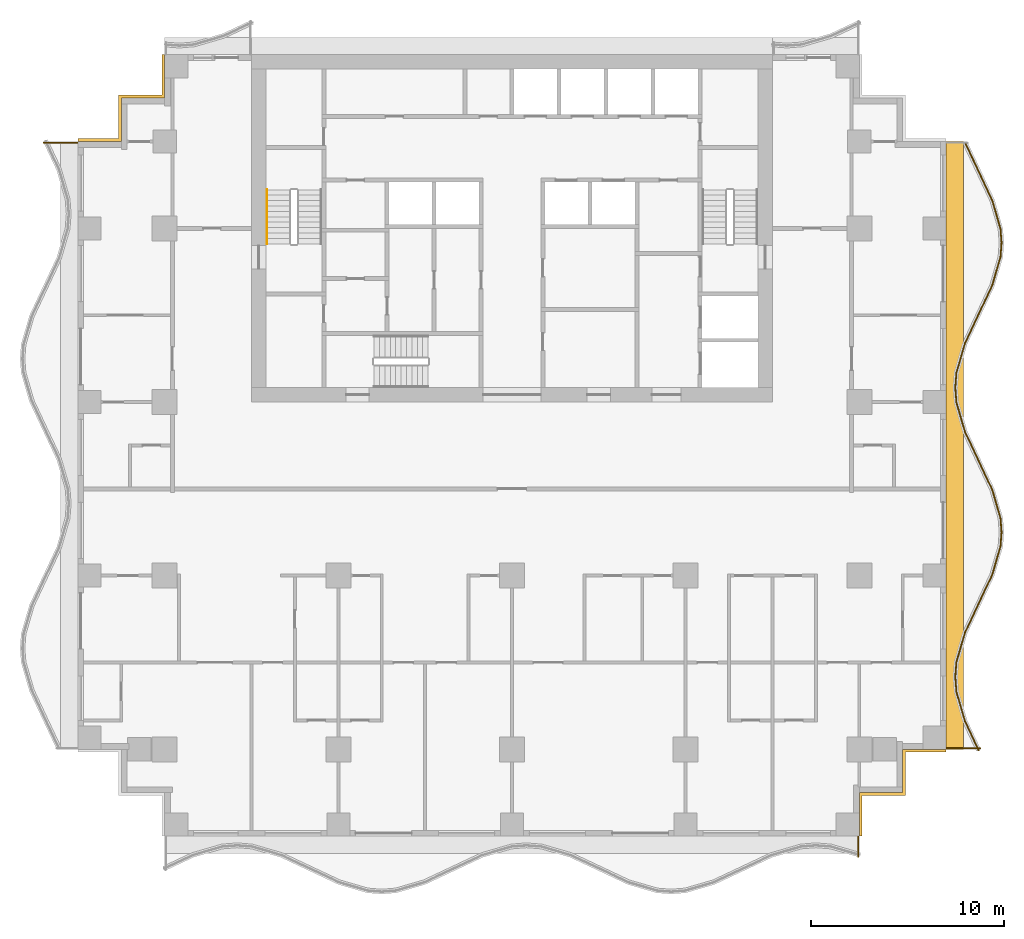
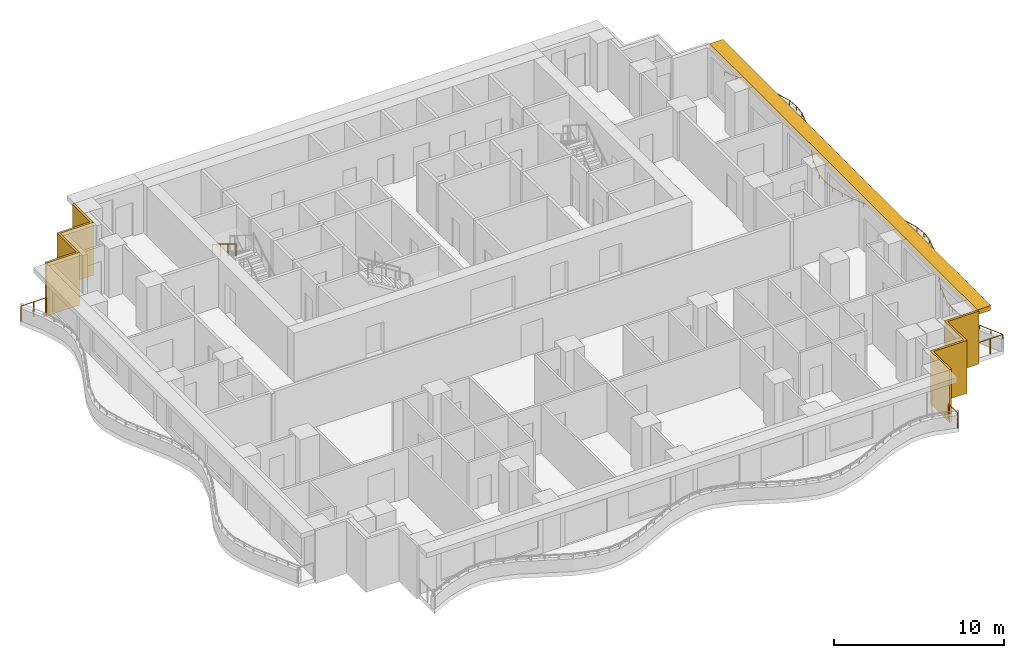
# One storey, part 9 of 10: 5 railings, 3 shading devices.
"""IFC4 building model written with IfcOpenShell, lengths in metres."""

from ifc_helpers import new_model, si_unit, direction, frame, origin, origin_2d, place, context, subcontext, project, spatial, polyline, rectangle, circle, outline, extrude, material, layer, layer_set, type_object, element, save


model = new_model("IFC4")

# Units and contexts
model_context = context("Model", 3, precision=1e-05, world=origin(), true_north=direction((0.0, 1.0)))
body_context = subcontext(model_context, "Body", "Model", "MODEL_VIEW")
ifc_project = project(units=[si_unit("LENGTHUNIT", "METRE"), si_unit("AREAUNIT", "SQUARE_METRE"), si_unit("VOLUMEUNIT", "CUBIC_METRE"), si_unit("PLANEANGLEUNIT", "RADIAN"), si_unit("MASSUNIT", "GRAM", prefix="KILO")], contexts=[model_context])

# Site, building, storey
site_placement = place(None, origin())
site = spatial("IfcSite", under=ifc_project, at=site_placement, CompositionType="ELEMENT")
building_placement = place(site_placement, origin())
building = spatial("IfcBuilding", under=site, at=building_placement, Name="Orbiselva Terraces", CompositionType="ELEMENT")
storey_placement = place(building_placement, frame((0.0, 0.0, 128.8)))
storey = spatial("IfcBuildingStorey", under=building, at=storey_placement, Name="L32", CompositionType="ELEMENT", Elevation=128.8)

# Railings
ifc_material_1 = material(Name="Stainless steel", Category="steel")
railing_type_1 = type_object("IfcRailingType", Name="CORE-HANDRAIL-900", PredefinedType="HANDRAIL", material=ifc_material_1)
railing_1_placement = place(storey_placement, frame((-12.7, 15.5, 2.072727)))
element("IfcRailing", 1, at=railing_1_placement, inside=storey, type_object=railing_type_1, Name="L32 S1 stair handrail 2", PredefinedType="HANDRAIL", context=body_context, shape_type="SweptSolid", body=[
    extrude(circle(Radius=0.024, at=origin_2d()), frame((0.0, 0.0, 0.876), z_axis=(0.0, -0.851088519012, 0.52502222125), x_axis=(1.0, 0.0, 0.0)), (0.0, 0.0, 1.0), 3.289905),
    extrude(circle(Radius=0.021, at=origin_2d()), origin(), (0.0, 0.0, 1.0), 0.852),
    extrude(circle(Radius=0.021, at=origin_2d()), frame((0.0, -0.933333, 0.575758)), (0.0, 0.0, 1.0), 0.852),
    extrude(circle(Radius=0.021, at=origin_2d()), frame((0.0, -1.866667, 1.151515)), (0.0, 0.0, 1.0), 0.852),
    extrude(circle(Radius=0.021, at=origin_2d()), frame((0.0, -2.8, 1.727273)), (0.0, 0.0, 1.0), 0.852),
])
ifc_material_2 = material(Name="Bonded two-ply safety glass balustrade, stainless steel posts", Category="steel")
railing_type_2 = type_object("IfcRailingType", Name="ENV-BALUSTRADE-1200", PredefinedType="BALUSTRADE", material=ifc_material_2)
railing_2_placement = place(storey_placement, frame((24.186882, -13.553191, 0.9)))
element("IfcRailing", 2, at=railing_2_placement, inside=storey, type_object=railing_type_2, Name="Balcony balustrade L32 E", PredefinedType="BALUSTRADE", context=body_context, shape_type="SweptSolid", body=[
    extrude(outline(polyline([(0.028868, 0.0), (0.014434, 0.025), (-0.014434, 0.025), (-0.028868, 0.0), (-0.014434, -0.025), (0.014434, -0.025), (0.028868, 0.0)])), frame((0.0, 0.0, 0.275), z_axis=(-0.425530342069, 0.904944157382, 0.0), x_axis=(-0.904944157382, -0.425530342069, 0.0)), (0.0, 0.0, 1.0), 1.667376),
    extrude(outline(polyline([(0.028868, 0.0), (0.014434, 0.025), (-0.014434, 0.025), (-0.028868, 0.0), (-0.014434, -0.025), (0.014434, -0.025), (0.028868, 0.0)])), frame((-0.709519, 1.508882, 0.275), z_axis=(-0.279070928786, 0.960270491427, 0.0), x_axis=(-0.960270491427, -0.279070928786, 0.0)), (0.0, 0.0, 1.0), 1.584712),
    extrude(outline(polyline([(0.028868, 0.0), (0.014434, 0.025), (-0.014434, 0.025), (-0.028868, 0.0), (-0.014434, -0.025), (0.014434, -0.025), (0.028868, 0.0)])), frame((-1.151766, 3.030634, 0.275), z_axis=(-0.078071061106, 0.996947796737, 0.0), x_axis=(-0.996947796737, -0.078071061106, 0.0)), (0.0, 0.0, 1.0), 0.774922),
    extrude(outline(polyline([(0.028868, 0.0), (0.014434, 0.025), (-0.014434, 0.025), (-0.028868, 0.0), (-0.014434, -0.025), (0.014434, -0.025), (0.028868, 0.0)])), frame((-1.212265, 3.803191, 0.275), z_axis=(0.078071061106, 0.996947796737, 0.0), x_axis=(-0.996947796737, 0.078071061106, 0.0)), (0.0, 0.0, 1.0), 0.774922),
    extrude(outline(polyline([(0.028868, 0.0), (0.014434, 0.025), (-0.014434, 0.025), (-0.028868, 0.0), (-0.014434, -0.025), (0.014434, -0.025), (0.028868, 0.0)])), frame((-1.151766, 4.575748, 0.275), z_axis=(0.279070928786, 0.960270491427, 0.0), x_axis=(-0.960270491427, 0.279070928786, 0.0)), (0.0, 0.0, 1.0), 1.584712),
    extrude(outline(polyline([(0.028868, 0.0), (0.014434, 0.025), (-0.014434, 0.025), (-0.028868, 0.0), (-0.014434, -0.025), (0.014434, -0.025), (0.028868, 0.0)])), frame((-0.709519, 6.0975, 0.275), z_axis=(0.425530342069, 0.904944157382, 0.0), x_axis=(-0.904944157382, 0.425530342069, 0.0)), (0.0, 0.0, 1.0), 1.667376),
    extrude(outline(polyline([(0.028868, 0.0), (0.014434, 0.025), (-0.014434, 0.025), (-0.028868, 0.0), (-0.014434, -0.025), (0.014434, -0.025), (0.028868, 0.0)])), frame((0.0, 7.606382, 0.275), z_axis=(0.425529912322, 0.904944359461, 0.0), x_axis=(-0.904944359461, 0.425529912322, 0.0)), (0.0, 0.0, 1.0), 1.647746),
    extrude(outline(polyline([(0.028868, 0.0), (0.014434, 0.025), (-0.014434, 0.025), (-0.028868, 0.0), (-0.014434, -0.025), (0.014434, -0.025), (0.028868, 0.0)])), frame((0.701165, 9.0975, 0.275), z_axis=(0.279071528957, 0.960270317007, 0.0), x_axis=(-0.960270317007, 0.279071528957, 0.0)), (0.0, 0.0, 1.0), 1.539408),
    extrude(outline(polyline([(0.028868, 0.0), (0.014434, 0.025), (-0.014434, 0.025), (-0.028868, 0.0), (-0.014434, -0.025), (0.014434, -0.025), (0.028868, 0.0)])), frame((1.13077, 10.575748, 0.275), z_axis=(0.078069536776, 0.996947916106, 0.0), x_axis=(-0.996947916106, 0.078069536776, 0.0)), (0.0, 0.0, 1.0), 0.72967),
    extrude(outline(polyline([(0.028868, 0.0), (0.014434, 0.025), (-0.014434, 0.025), (-0.028868, 0.0), (-0.014434, -0.025), (0.014434, -0.025), (0.028868, 0.0)])), frame((1.187735, 11.303191, 0.275), z_axis=(-0.078069536776, 0.996947916106, 0.0), x_axis=(-0.996947916106, -0.078069536776, 0.0)), (0.0, 0.0, 1.0), 0.72967),
    extrude(outline(polyline([(0.028868, 0.0), (0.014434, 0.025), (-0.014434, 0.025), (-0.028868, 0.0), (-0.014434, -0.025), (0.014434, -0.025), (0.028868, 0.0)])), frame((1.13077, 12.030634, 0.275), z_axis=(-0.279071528957, 0.960270317007, 0.0), x_axis=(-0.960270317007, -0.279071528957, 0.0)), (0.0, 0.0, 1.0), 1.539408),
    extrude(outline(polyline([(0.028868, 0.0), (0.014434, 0.025), (-0.014434, 0.025), (-0.028868, 0.0), (-0.014434, -0.025), (0.014434, -0.025), (0.028868, 0.0)])), frame((0.701165, 13.508882, 0.275), z_axis=(-0.425529912322, 0.904944359461, 0.0), x_axis=(-0.904944359461, -0.425529912322, 0.0)), (0.0, 0.0, 1.0), 1.647746),
    extrude(outline(polyline([(0.028868, 0.0), (0.014434, 0.025), (-0.014434, 0.025), (-0.028868, 0.0), (-0.014434, -0.025), (0.014434, -0.025), (0.028868, 0.0)])), frame((0.0, 15.0, 0.275), z_axis=(-0.425530342069, 0.904944157382, 0.0), x_axis=(-0.904944157382, -0.425530342069, 0.0)), (0.0, 0.0, 1.0), 1.667376),
    extrude(outline(polyline([(0.028868, 0.0), (0.014434, 0.025), (-0.014434, 0.025), (-0.028868, 0.0), (-0.014434, -0.025), (0.014434, -0.025), (0.028868, 0.0)])), frame((-0.709519, 16.508882, 0.275), z_axis=(-0.279070928786, 0.960270491427, 0.0), x_axis=(-0.960270491427, -0.279070928786, 0.0)), (0.0, 0.0, 1.0), 1.584712),
    extrude(outline(polyline([(0.028868, 0.0), (0.014434, 0.025), (-0.014434, 0.025), (-0.028868, 0.0), (-0.014434, -0.025), (0.014434, -0.025), (0.028868, 0.0)])), frame((-1.151766, 18.030634, 0.275), z_axis=(-0.078071061106, 0.996947796737, 0.0), x_axis=(-0.996947796737, -0.078071061106, 0.0)), (0.0, 0.0, 1.0), 0.774922),
    extrude(outline(polyline([(0.028868, 0.0), (0.014434, 0.025), (-0.014434, 0.025), (-0.028868, 0.0), (-0.014434, -0.025), (0.014434, -0.025), (0.028868, 0.0)])), frame((-1.212265, 18.803191, 0.275), z_axis=(0.078071061106, 0.996947796737, 0.0), x_axis=(-0.996947796737, 0.078071061106, 0.0)), (0.0, 0.0, 1.0), 0.774922),
    extrude(outline(polyline([(0.028868, 0.0), (0.014434, 0.025), (-0.014434, 0.025), (-0.028868, 0.0), (-0.014434, -0.025), (0.014434, -0.025), (0.028868, 0.0)])), frame((-1.151766, 19.575748, 0.275), z_axis=(0.279070928786, 0.960270491427, 0.0), x_axis=(-0.960270491427, 0.279070928786, 0.0)), (0.0, 0.0, 1.0), 1.584712),
    extrude(outline(polyline([(0.028868, 0.0), (0.014434, 0.025), (-0.014434, 0.025), (-0.028868, 0.0), (-0.014434, -0.025), (0.014434, -0.025), (0.028868, 0.0)])), frame((-0.709519, 21.0975, 0.275), z_axis=(0.425530342069, 0.904944157382, 0.0), x_axis=(-0.904944157382, 0.425530342069, 0.0)), (0.0, 0.0, 1.0), 1.667376),
    extrude(outline(polyline([(0.028868, 0.0), (0.014434, 0.025), (-0.014434, 0.025), (-0.028868, 0.0), (-0.014434, -0.025), (0.014434, -0.025), (0.028868, 0.0)])), frame((0.0, 22.606382, 0.275), z_axis=(0.425529912322, 0.904944359461, 0.0), x_axis=(-0.904944359461, 0.425529912322, 0.0)), (0.0, 0.0, 1.0), 1.647746),
    extrude(outline(polyline([(0.028868, 0.0), (0.014434, 0.025), (-0.014434, 0.025), (-0.028868, 0.0), (-0.014434, -0.025), (0.014434, -0.025), (0.028868, 0.0)])), frame((0.701165, 24.0975, 0.275), z_axis=(0.279071528957, 0.960270317007, 0.0), x_axis=(-0.960270317007, 0.279071528957, 0.0)), (0.0, 0.0, 1.0), 1.539408),
    extrude(outline(polyline([(0.028868, 0.0), (0.014434, 0.025), (-0.014434, 0.025), (-0.028868, 0.0), (-0.014434, -0.025), (0.014434, -0.025), (0.028868, 0.0)])), frame((1.13077, 25.575748, 0.275), z_axis=(0.078069536776, 0.996947916106, 0.0), x_axis=(-0.996947916106, 0.078069536776, 0.0)), (0.0, 0.0, 1.0), 0.72967),
    extrude(outline(polyline([(0.028868, 0.0), (0.014434, 0.025), (-0.014434, 0.025), (-0.028868, 0.0), (-0.014434, -0.025), (0.014434, -0.025), (0.028868, 0.0)])), frame((1.187735, 26.303191, 0.275), z_axis=(-0.078069536776, 0.996947916106, 0.0), x_axis=(-0.996947916106, -0.078069536776, 0.0)), (0.0, 0.0, 1.0), 0.72967),
    extrude(outline(polyline([(0.028868, 0.0), (0.014434, 0.025), (-0.014434, 0.025), (-0.028868, 0.0), (-0.014434, -0.025), (0.014434, -0.025), (0.028868, 0.0)])), frame((1.13077, 27.030634, 0.275), z_axis=(-0.279071528957, 0.960270317007, 0.0), x_axis=(-0.960270317007, -0.279071528957, 0.0)), (0.0, 0.0, 1.0), 1.539408),
    extrude(outline(polyline([(0.028868, 0.0), (0.014434, 0.025), (-0.014434, 0.025), (-0.028868, 0.0), (-0.014434, -0.025), (0.014434, -0.025), (0.028868, 0.0)])), frame((0.701165, 28.508882, 0.275), z_axis=(-0.425529912322, 0.904944359461, 0.0), x_axis=(-0.904944359461, -0.425529912322, 0.0)), (0.0, 0.0, 1.0), 1.647746),
    extrude(outline(polyline([(0.028868, 0.0), (0.014434, 0.025), (-0.014434, 0.025), (-0.028868, 0.0), (-0.014434, -0.025), (0.014434, -0.025), (0.028868, 0.0)])), frame((0.0, 30.0, 0.275), z_axis=(-0.425530128467, 0.904944257823, 0.0), x_axis=(-0.904944257823, -0.425530128467, 0.0)), (0.0, 0.0, 1.0), 1.657561),
    extrude(rectangle(XDim=0.05, YDim=0.05, at=origin_2d()), origin(), (0.0, 0.0, 1.0), 0.25),
    extrude(rectangle(XDim=0.05, YDim=0.05, at=origin_2d()), frame((-0.35476, 0.754441, 0.0)), (0.0, 0.0, 1.0), 0.25),
    extrude(rectangle(XDim=0.05, YDim=0.05, at=origin_2d()), frame((-0.709519, 1.508882, 0.0)), (0.0, 0.0, 1.0), 0.25),
    extrude(rectangle(XDim=0.05, YDim=0.05, at=origin_2d()), frame((-0.930643, 2.269758, 0.0)), (0.0, 0.0, 1.0), 0.25),
    extrude(rectangle(XDim=0.05, YDim=0.05, at=origin_2d()), frame((-1.151766, 3.030634, 0.0)), (0.0, 0.0, 1.0), 0.25),
    extrude(rectangle(XDim=0.05, YDim=0.05, at=origin_2d()), frame((-1.212265, 3.803191, 0.0)), (0.0, 0.0, 1.0), 0.25),
    extrude(rectangle(XDim=0.05, YDim=0.05, at=origin_2d()), frame((-1.151766, 4.575748, 0.0)), (0.0, 0.0, 1.0), 0.25),
    extrude(rectangle(XDim=0.05, YDim=0.05, at=origin_2d()), frame((-0.930643, 5.336624, 0.0)), (0.0, 0.0, 1.0), 0.25),
    extrude(rectangle(XDim=0.05, YDim=0.05, at=origin_2d()), frame((-0.709519, 6.0975, 0.0)), (0.0, 0.0, 1.0), 0.25),
    extrude(rectangle(XDim=0.05, YDim=0.05, at=origin_2d()), frame((-0.35476, 6.851941, 0.0)), (0.0, 0.0, 1.0), 0.25),
    extrude(rectangle(XDim=0.05, YDim=0.05, at=origin_2d()), frame((0.0, 7.606382, 0.0)), (0.0, 0.0, 1.0), 0.25),
    extrude(rectangle(XDim=0.05, YDim=0.05, at=origin_2d()), frame((0.350582, 8.351941, 0.0)), (0.0, 0.0, 1.0), 0.25),
    extrude(rectangle(XDim=0.05, YDim=0.05, at=origin_2d()), frame((0.701165, 9.0975, 0.0)), (0.0, 0.0, 1.0), 0.25),
    extrude(rectangle(XDim=0.05, YDim=0.05, at=origin_2d()), frame((0.915967, 9.836624, 0.0)), (0.0, 0.0, 1.0), 0.25),
    extrude(rectangle(XDim=0.05, YDim=0.05, at=origin_2d()), frame((1.13077, 10.575748, 0.0)), (0.0, 0.0, 1.0), 0.25),
    extrude(rectangle(XDim=0.05, YDim=0.05, at=origin_2d()), frame((1.187735, 11.303191, 0.0)), (0.0, 0.0, 1.0), 0.25),
    extrude(rectangle(XDim=0.05, YDim=0.05, at=origin_2d()), frame((1.13077, 12.030634, 0.0)), (0.0, 0.0, 1.0), 0.25),
    extrude(rectangle(XDim=0.05, YDim=0.05, at=origin_2d()), frame((0.915967, 12.769758, 0.0)), (0.0, 0.0, 1.0), 0.25),
    extrude(rectangle(XDim=0.05, YDim=0.05, at=origin_2d()), frame((0.701165, 13.508882, 0.0)), (0.0, 0.0, 1.0), 0.25),
    extrude(rectangle(XDim=0.05, YDim=0.05, at=origin_2d()), frame((0.350582, 14.254441, 0.0)), (0.0, 0.0, 1.0), 0.25),
    extrude(rectangle(XDim=0.05, YDim=0.05, at=origin_2d()), frame((0.0, 15.0, 0.0)), (0.0, 0.0, 1.0), 0.25),
    extrude(rectangle(XDim=0.05, YDim=0.05, at=origin_2d()), frame((-0.35476, 15.754441, 0.0)), (0.0, 0.0, 1.0), 0.25),
    extrude(rectangle(XDim=0.05, YDim=0.05, at=origin_2d()), frame((-0.709519, 16.508882, 0.0)), (0.0, 0.0, 1.0), 0.25),
    extrude(rectangle(XDim=0.05, YDim=0.05, at=origin_2d()), frame((-0.930643, 17.269758, 0.0)), (0.0, 0.0, 1.0), 0.25),
    extrude(rectangle(XDim=0.05, YDim=0.05, at=origin_2d()), frame((-1.151766, 18.030634, 0.0)), (0.0, 0.0, 1.0), 0.25),
    extrude(rectangle(XDim=0.05, YDim=0.05, at=origin_2d()), frame((-1.212265, 18.803191, 0.0)), (0.0, 0.0, 1.0), 0.25),
    extrude(rectangle(XDim=0.05, YDim=0.05, at=origin_2d()), frame((-1.151766, 19.575748, 0.0)), (0.0, 0.0, 1.0), 0.25),
    extrude(rectangle(XDim=0.05, YDim=0.05, at=origin_2d()), frame((-0.930643, 20.336624, 0.0)), (0.0, 0.0, 1.0), 0.25),
    extrude(rectangle(XDim=0.05, YDim=0.05, at=origin_2d()), frame((-0.709519, 21.0975, 0.0)), (0.0, 0.0, 1.0), 0.25),
    extrude(rectangle(XDim=0.05, YDim=0.05, at=origin_2d()), frame((-0.35476, 21.851941, 0.0)), (0.0, 0.0, 1.0), 0.25),
    extrude(rectangle(XDim=0.05, YDim=0.05, at=origin_2d()), frame((0.0, 22.606382, 0.0)), (0.0, 0.0, 1.0), 0.25),
    extrude(rectangle(XDim=0.05, YDim=0.05, at=origin_2d()), frame((0.350582, 23.351941, 0.0)), (0.0, 0.0, 1.0), 0.25),
    extrude(rectangle(XDim=0.05, YDim=0.05, at=origin_2d()), frame((0.701165, 24.0975, 0.0)), (0.0, 0.0, 1.0), 0.25),
    extrude(rectangle(XDim=0.05, YDim=0.05, at=origin_2d()), frame((0.915967, 24.836624, 0.0)), (0.0, 0.0, 1.0), 0.25),
    extrude(rectangle(XDim=0.05, YDim=0.05, at=origin_2d()), frame((1.13077, 25.575748, 0.0)), (0.0, 0.0, 1.0), 0.25),
    extrude(rectangle(XDim=0.05, YDim=0.05, at=origin_2d()), frame((1.187735, 26.303191, 0.0)), (0.0, 0.0, 1.0), 0.25),
    extrude(rectangle(XDim=0.05, YDim=0.05, at=origin_2d()), frame((1.13077, 27.030634, 0.0)), (0.0, 0.0, 1.0), 0.25),
    extrude(rectangle(XDim=0.05, YDim=0.05, at=origin_2d()), frame((0.915967, 27.769758, 0.0)), (0.0, 0.0, 1.0), 0.25),
    extrude(rectangle(XDim=0.05, YDim=0.05, at=origin_2d()), frame((0.701165, 28.508882, 0.0)), (0.0, 0.0, 1.0), 0.25),
    extrude(rectangle(XDim=0.05, YDim=0.05, at=origin_2d()), frame((0.350582, 29.254441, 0.0)), (0.0, 0.0, 1.0), 0.25),
    extrude(rectangle(XDim=0.05, YDim=0.05, at=origin_2d()), frame((0.0, 30.0, 0.0)), (0.0, 0.0, 1.0), 0.25),
    extrude(rectangle(XDim=0.05, YDim=0.05, at=origin_2d()), frame((-0.352671, 30.75, 0.0)), (0.0, 0.0, 1.0), 0.25),
    extrude(rectangle(XDim=0.05, YDim=0.05, at=origin_2d()), frame((-0.705342, 31.5, 0.0)), (0.0, 0.0, 1.0), 0.25),
])
ifc_material_3 = material(Name="Stainless steel rail and posts", Category="steel")
railing_type_3 = type_object("IfcRailingType", Name="ENV-GUARD-1105", PredefinedType="BALUSTRADE", material=ifc_material_3)
railing_3_placement = place(storey_placement, frame((17.94, -19.070484, 0.0)))
element("IfcRailing", 3, at=railing_3_placement, inside=storey, type_object=railing_type_3, Name="Balcony end guard L32 S", PredefinedType="BALUSTRADE", context=body_context, shape_type="SweptSolid", body=[
    extrude(outline(polyline([(0.028868, 0.0), (0.014434, 0.025), (-0.014434, 0.025), (-0.028868, 0.0), (-0.014434, -0.025), (0.014434, -0.025), (0.028868, 0.0)])), frame((0.0, 0.0, 1.08), z_axis=(0.0, 1.0, 0.0), x_axis=(-1.0, 0.0, 0.0)), (0.0, 0.0, 1.0), 1.045484),
    extrude(rectangle(XDim=0.05, YDim=0.05, at=origin_2d()), origin(), (0.0, 0.0, 1.0), 1.055),
    extrude(rectangle(XDim=0.05, YDim=0.05, at=origin_2d()), frame((0.0, 1.045484, 0.0)), (0.0, 0.0, 1.0), 1.055),
])
railing_4_placement = place(storey_placement, frame((24.269844, -13.44, 0.0)))
element("IfcRailing", 4, at=railing_4_placement, inside=storey, type_object=railing_type_3, Name="Balcony end guard L32 E", PredefinedType="BALUSTRADE", context=body_context, shape_type="SweptSolid", body=[
    extrude(outline(polyline([(0.028868, 0.0), (0.014434, 0.025), (-0.014434, 0.025), (-0.028868, 0.0), (-0.014434, -0.025), (0.014434, -0.025), (0.028868, 0.0)])), frame((0.0, 0.0, 1.08), z_axis=(-1.0, 0.0, 0.0), x_axis=(0.0, -1.0, 0.0)), (0.0, 0.0, 1.0), 1.744844),
    extrude(rectangle(XDim=0.05, YDim=0.05, at=origin_2d()), origin(), (0.0, 0.0, 1.0), 1.055),
    extrude(rectangle(XDim=0.05, YDim=0.05, at=origin_2d()), frame((-0.872422, 0.0, 0.0)), (0.0, 0.0, 1.0), 1.055),
    extrude(rectangle(XDim=0.05, YDim=0.05, at=origin_2d()), frame((-1.744844, 0.0, 0.0)), (0.0, 0.0, 1.0), 1.055),
])
railing_5_placement = place(storey_placement, frame((-24.269844, 17.94, 0.0)))
element("IfcRailing", 5, at=railing_5_placement, inside=storey, type_object=railing_type_3, Name="Balcony end guard L32 W", PredefinedType="BALUSTRADE", context=body_context, shape_type="SweptSolid", body=[
    extrude(outline(polyline([(0.028868, 0.0), (0.014434, 0.025), (-0.014434, 0.025), (-0.028868, 0.0), (-0.014434, -0.025), (0.014434, -0.025), (0.028868, 0.0)])), frame((0.0, 0.0, 1.08), z_axis=(1.0, 0.0, 0.0), x_axis=(0.0, 1.0, 0.0)), (0.0, 0.0, 1.0), 1.744844),
    extrude(rectangle(XDim=0.05, YDim=0.05, at=origin_2d()), origin(), (0.0, 0.0, 1.0), 1.055),
    extrude(rectangle(XDim=0.05, YDim=0.05, at=origin_2d()), frame((0.872422, 0.0, 0.0)), (0.0, 0.0, 1.0), 1.055),
    extrude(rectangle(XDim=0.05, YDim=0.05, at=origin_2d()), frame((1.744844, 0.0, 0.0)), (0.0, 0.0, 1.0), 1.055),
])

# Shading devices
ifc_material_4 = material(Name="Terracotta louvre screen", Category="masonry")
ifc_layer_1 = layer(ifc_material_4, 0.15)
ifc_layer_set_1 = layer_set([ifc_layer_1], Name="Terracotta louvre screen")
shading_device_type_1 = type_object("IfcShadingDeviceType", Name="ENV-SCREEN-150", PredefinedType="USERDEFINED", material=ifc_layer_set_1)
shading_device_1_placement = place(storey_placement, frame((0.0, 0.0, -0.3)))
element("IfcShadingDevice", 6, at=shading_device_1_placement, inside=storey, type_object=shading_device_type_1, Name="Louvre screen L32 NW", ObjectType="SCREEN", PredefinedType="USERDEFINED", context=body_context, shape_type="SweptSolid", body=[
    extrude(outline(polyline([(-18.15, 22.5), (-18.15, 20.4), (-20.4, 20.4), (-20.4, 18.15), (-22.5, 18.15), (-22.5, 18.0), (-20.25, 18.0), (-20.25, 20.25), (-18.0, 20.25), (-18.0, 22.5), (-18.15, 22.5)])), origin(), (0.0, 0.0, 1.0), 3.8),
])
shading_device_2_placement = place(storey_placement, frame((0.0, 0.0, -0.3)))
element("IfcShadingDevice", 7, at=shading_device_2_placement, inside=storey, type_object=shading_device_type_1, Name="Louvre screen L32 SE", ObjectType="SCREEN", PredefinedType="USERDEFINED", context=body_context, shape_type="SweptSolid", body=[
    extrude(outline(polyline([(18.15, -18.0), (18.15, -15.9), (20.4, -15.9), (20.4, -13.65), (22.5, -13.65), (22.5, -13.5), (20.25, -13.5), (20.25, -15.75), (18.0, -15.75), (18.0, -18.0), (18.15, -18.0)])), origin(), (0.0, 0.0, 1.0), 3.8),
])
ifc_material_5 = material(Name="Terracotta baguette sunshade", Category="masonry")
ifc_layer_2 = layer(ifc_material_5, 0.35)
ifc_layer_set_2 = layer_set([ifc_layer_2], Name="Terracotta baguette sunshade")
shading_device_type_2 = type_object("IfcShadingDeviceType", Name="ENV-SUNSHADE-900x350", PredefinedType="USERDEFINED", material=ifc_layer_set_2)
shading_device_3_placement = place(storey_placement, frame((0.0, 0.0, 3.15)))
element("IfcShadingDevice", 8, at=shading_device_3_placement, inside=storey, type_object=shading_device_type_2, Name="Sunshade band L32 E", ObjectType="SUNSHADE", PredefinedType="USERDEFINED", context=body_context, shape_type="SweptSolid", body=[
    extrude(outline(polyline([(23.4, -13.5), (23.4, 18.0), (22.5, 18.0), (22.5, -13.5), (23.4, -13.5)])), origin(), (0.0, 0.0, 1.0), 0.35),
])

save(model, "model.ifc")
